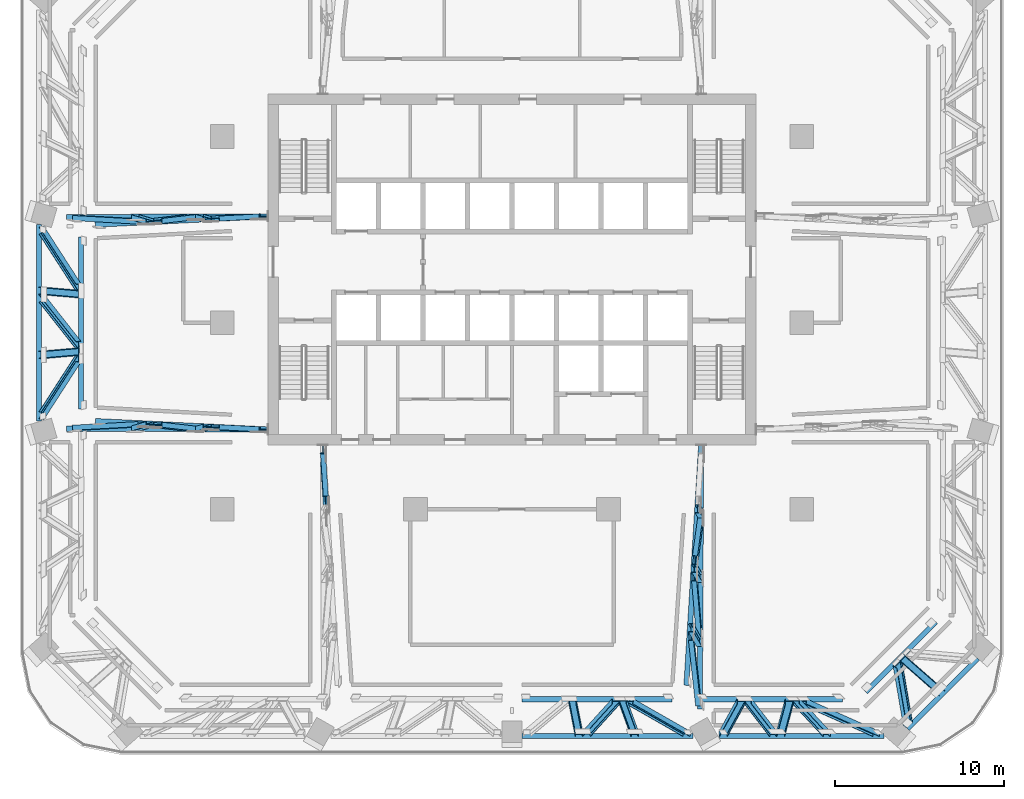
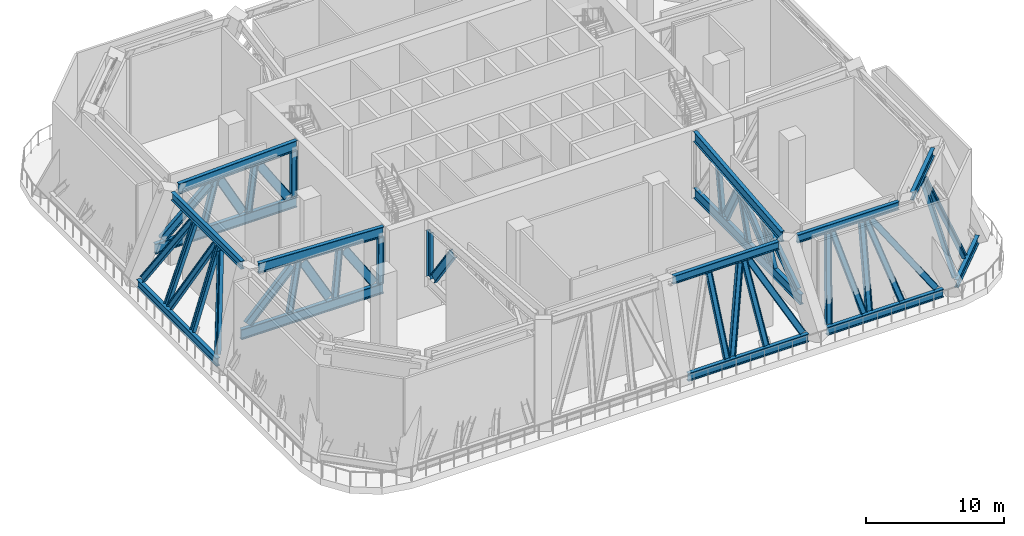
# One storey, part 2 of 24: 50 members.
"""IFC4 building model written with IfcOpenShell, lengths in metres."""

from ifc_helpers import new_model, si_unit, direction, frame, origin, origin_2d, place, context, subcontext, project, spatial, i_section, extrude, material, material_profile, profile_set, type_object, element, save


model = new_model("IFC4")

# Units and contexts
model_context = context("Model", 3, precision=1e-05, world=origin(), true_north=direction((0.0, 1.0)))
body_context = subcontext(model_context, "Body", "Model", "MODEL_VIEW")
ifc_project = project(units=[si_unit("LENGTHUNIT", "METRE"), si_unit("AREAUNIT", "SQUARE_METRE"), si_unit("VOLUMEUNIT", "CUBIC_METRE"), si_unit("PLANEANGLEUNIT", "RADIAN"), si_unit("MASSUNIT", "GRAM", prefix="KILO")], contexts=[model_context])

# Site, building, storey
site_placement = place(None, origin())
site = spatial("IfcSite", under=ifc_project, at=site_placement, CompositionType="ELEMENT")
building_placement = place(site_placement, origin())
building = spatial("IfcBuilding", under=site, at=building_placement, Name="Mopane Tessera Tower", CompositionType="ELEMENT")
storey_placement = place(building_placement, frame((0.0, 0.0, 148.60009765625)))
storey = spatial("IfcBuildingStorey", under=building, at=storey_placement, Name="L30", CompositionType="ELEMENT", Elevation=148.60009765625)

# Members
ifc_material_1 = material(Name="Structural steel S460", Category="steel")
ifc_material_profile_1 = material_profile(ifc_material_1, i_section(OverallWidth=0.303955078125, OverallDepth=0.716064453125, WebThickness=0.02099609375, FlangeThickness=0.0400390625, FilletRadius=0.027099609375, at=origin_2d()))
ifc_profile_set_1 = profile_set([ifc_material_profile_1], Name="Structural steel S460")
member_type_1 = type_object("IfcMemberType", Name="Belt truss chord HE 700 M", PredefinedType="CHORD", material=ifc_profile_set_1)
member_1_placement = place(storey_placement, frame((0.599609375, -24.3935546875, 0.35791015625), z_axis=(1.0, 0.0, 0.0), x_axis=(0.0, 1.0, 0.0)))
element("IfcMember", 1, at=member_1_placement, inside=storey, type_object=member_type_1, Name="Belt truss bottom chord L30 S2-S3", PredefinedType="CHORD", context=body_context, shape_type="SweptSolid", body=[
    extrude(i_section(OverallWidth=0.303955078125, OverallDepth=0.716064453125, WebThickness=0.02099609375, FlangeThickness=0.0400390625, FilletRadius=0.027099609375, at=origin_2d()), origin(), (0.0, 0.0, 1.0), 10.087890625),
])
member_2_placement = place(storey_placement, frame((0.599609375, -22.2255859375, 7.641845703125), z_axis=(1.0, 0.0, 0.0), x_axis=(0.0, 1.0, 0.0)))
element("IfcMember", 2, at=member_2_placement, inside=storey, type_object=member_type_1, Name="Belt truss top chord L30 S2-S3", PredefinedType="CHORD", context=body_context, shape_type="SweptSolid", body=[
    extrude(i_section(OverallWidth=0.303955078125, OverallDepth=0.716064453125, WebThickness=0.02099609375, FlangeThickness=0.0400390625, FilletRadius=0.027099609375, at=origin_2d()), origin(), (0.0, 0.0, 1.0), 8.852294921875),
])
member_3_placement = place(storey_placement, frame((12.24072265625, -24.3935546875, 0.35791015625), z_axis=(1.0, 0.0, 0.0), x_axis=(0.0, 1.0, 0.0)))
element("IfcMember", 3, at=member_3_placement, inside=storey, type_object=member_type_1, Name="Belt truss bottom chord L30 S3-S4", PredefinedType="CHORD", context=body_context, shape_type="SweptSolid", body=[
    extrude(i_section(OverallWidth=0.303955078125, OverallDepth=0.716064453125, WebThickness=0.02099609375, FlangeThickness=0.0400390625, FilletRadius=0.027099609375, at=origin_2d()), origin(), (0.0, 0.0, 1.0), 9.7314453125),
])
member_4_placement = place(storey_placement, frame((11.00537109375, -22.2255859375, 7.641845703125), z_axis=(1.0, 0.0, 0.0), x_axis=(0.0, 1.0, 0.0)))
element("IfcMember", 4, at=member_4_placement, inside=storey, type_object=member_type_1, Name="Belt truss top chord L30 S3-S4", PredefinedType="CHORD", context=body_context, shape_type="SweptSolid", body=[
    extrude(i_section(OverallWidth=0.303955078125, OverallDepth=0.716064453125, WebThickness=0.02099609375, FlangeThickness=0.0400390625, FilletRadius=0.027099609375, at=origin_2d()), origin(), (0.0, 0.0, 1.0), 8.495361328125),
])
member_5_placement = place(storey_placement, frame((23.3603515625, -23.961669921875, 0.35791015625), z_axis=(0.707106781187, 0.707106781187, 0.0), x_axis=(-0.707106781187, 0.707106781187, 0.0)))
element("IfcMember", 5, at=member_5_placement, inside=storey, type_object=member_type_1, Name="Belt truss bottom chord L30 S4-E0", PredefinedType="CHORD", context=body_context, shape_type="SweptSolid", body=[
    extrude(i_section(OverallWidth=0.303955078125, OverallDepth=0.716064453125, WebThickness=0.02099609375, FlangeThickness=0.0400390625, FilletRadius=0.027099609375, at=origin_2d()), origin(), (0.0, 0.0, 1.0), 5.849853515625),
])
member_6_placement = place(storey_placement, frame((20.888916015625, -21.793701171875, 7.641845703125), z_axis=(0.707127648719, 0.707085913038, 0.0), x_axis=(-0.707085913038, 0.707127648719, 0.0)))
element("IfcMember", 6, at=member_6_placement, inside=storey, type_object=member_type_1, Name="Belt truss top chord L30 S4-E0", PredefinedType="CHORD", context=body_context, shape_type="SweptSolid", body=[
    extrude(i_section(OverallWidth=0.303955078125, OverallDepth=0.716064453125, WebThickness=0.02099609375, FlangeThickness=0.0400390625, FilletRadius=0.027099609375, at=origin_2d()), origin(), (0.0, 0.0, 1.0), 5.849609375),
])
member_7_placement = place(storey_placement, frame((-27.928466796875, 5.79541015625, 0.35791015625), z_axis=(0.0, -1.0, 0.0), x_axis=(1.0, 0.0, 0.0)))
element("IfcMember", 7, at=member_7_placement, inside=storey, type_object=member_type_1, Name="Belt truss bottom chord L30 W1-W2", PredefinedType="CHORD", context=body_context, shape_type="SweptSolid", body=[
    extrude(i_section(OverallWidth=0.303955078125, OverallDepth=0.716064453125, WebThickness=0.02099609375, FlangeThickness=0.0400390625, FilletRadius=0.027099609375, at=origin_2d()), origin(), (0.0, 0.0, 1.0), 11.5908203125),
])
member_8_placement = place(storey_placement, frame((-25.45703125, 5.072998046875, 7.641845703125), z_axis=(0.0, -1.0, 0.0), x_axis=(1.0, 0.0, 0.0)))
element("IfcMember", 8, at=member_8_placement, inside=storey, type_object=member_type_1, Name="Belt truss top chord L30 W1-W2", PredefinedType="CHORD", context=body_context, shape_type="SweptSolid", body=[
    extrude(i_section(OverallWidth=0.303955078125, OverallDepth=0.716064453125, WebThickness=0.02099609375, FlangeThickness=0.0400390625, FilletRadius=0.027099609375, at=origin_2d()), origin(), (0.0, 0.0, 1.0), 10.14599609375),
])
ifc_material_2 = material(Name="Structural steel S460", Category="steel")
ifc_material_profile_2 = material_profile(ifc_material_2, i_section(OverallWidth=0.300048828125, OverallDepth=0.5, WebThickness=0.014404296875, FlangeThickness=0.028076171875, FilletRadius=0.027099609375, at=origin_2d()))
ifc_profile_set_2 = profile_set([ifc_material_profile_2], Name="Structural steel S460")
member_type_2 = type_object("IfcMemberType", Name="Belt truss diagonal HE 500 B", PredefinedType="BRACE", material=ifc_profile_set_2)
member_9_placement = place(storey_placement, frame((4.397705078125, -24.272216796875, 0.765380859375), z_axis=(0.2506543194, 0.276146963229, 0.927855197143), x_axis=(-0.072015912907, 0.961115422151, -0.266591173133)))
element("IfcMember", 9, at=member_9_placement, inside=storey, type_object=member_type_2, Name="Belt truss diagonal 1 L30 S2-S3", PredefinedType="BRACE", context=body_context, shape_type="SweptSolid", body=[
    extrude(i_section(OverallWidth=0.300048828125, OverallDepth=0.5, WebThickness=0.014404296875, FlangeThickness=0.028076171875, FilletRadius=0.027099609375, at=origin_2d()), origin(), (0.0, 0.0, 1.0), 6.971923828125),
])
member_10_placement = place(storey_placement, frame((6.942138671875, -22.349365234375, 7.226318359375), z_axis=(0.447801640419, -0.255043639384, -0.856986833532), x_axis=(0.118069036868, 0.966929542152, -0.226068491937)))
element("IfcMember", 10, at=member_10_placement, inside=storey, type_object=member_type_2, Name="Belt truss diagonal 2 L30 S2-S3", PredefinedType="BRACE", context=body_context, shape_type="SweptSolid", body=[
    extrude(i_section(OverallWidth=0.300048828125, OverallDepth=0.5, WebThickness=0.014404296875, FlangeThickness=0.028076171875, FilletRadius=0.027099609375, at=origin_2d()), origin(), (0.0, 0.0, 1.0), 7.52978515625),
])
member_11_placement = place(storey_placement, frame((12.476806640625, -24.271240234375, 0.768798828125), z_axis=(0.154753056421, 0.281817979308, 0.946905548652), x_axis=(-0.045419249479, 0.959467886571, -0.278133900157)))
element("IfcMember", 11, at=member_11_placement, inside=storey, type_object=member_type_2, Name="Belt truss diagonal 0 L30 S3-S4", PredefinedType="BRACE", context=body_context, shape_type="SweptSolid", body=[
    extrude(i_section(OverallWidth=0.300048828125, OverallDepth=0.5, WebThickness=0.014404296875, FlangeThickness=0.028076171875, FilletRadius=0.027099609375, at=origin_2d()), origin(), (0.0, 0.0, 1.0), 6.82470703125),
])
member_12_placement = place(storey_placement, frame((15.861083984375, -24.273681640625, 0.7607421875), z_axis=(0.076276738224, 0.284435164539, 0.955656055482), x_axis=(-0.022662644211, 0.958695278084, -0.283530894855)))
element("IfcMember", 12, at=member_12_placement, inside=storey, type_object=member_type_2, Name="Belt truss diagonal 1 L30 S3-S4", PredefinedType="BRACE", context=body_context, shape_type="SweptSolid", body=[
    extrude(i_section(OverallWidth=0.300048828125, OverallDepth=0.5, WebThickness=0.014404296875, FlangeThickness=0.028076171875, FilletRadius=0.027099609375, at=origin_2d()), origin(), (0.0, 0.0, 1.0), 6.779052734375),
])
member_13_placement = place(storey_placement, frame((17.180908203125, -22.347900390625, 7.231201171875), z_axis=(0.539957771067, -0.240096366228, -0.806721352382), x_axis=(0.133562461913, 0.970749058537, -0.199517753889)))
element("IfcMember", 13, at=member_13_placement, inside=storey, type_object=member_type_2, Name="Belt truss diagonal 2 L30 S3-S4", PredefinedType="BRACE", context=body_context, shape_type="SweptSolid", body=[
    extrude(i_section(OverallWidth=0.300048828125, OverallDepth=0.5, WebThickness=0.014404296875, FlangeThickness=0.028076171875, FilletRadius=0.027099609375, at=origin_2d()), origin(), (0.0, 0.0, 1.0), 8.0107421875),
])
member_14_placement = place(storey_placement, frame((23.3818359375, -23.684326171875, 0.759765625), z_axis=(-0.081781629419, 0.475976340966, 0.875647353636), x_axis=(-0.734409592741, 0.565169586582, -0.375800330619)))
element("IfcMember", 14, at=member_14_placement, inside=storey, type_object=member_type_2, Name="Belt truss diagonal 0 L30 S4-E0", PredefinedType="BRACE", context=body_context, shape_type="SweptSolid", body=[
    extrude(i_section(OverallWidth=0.300048828125, OverallDepth=0.5, WebThickness=0.014404296875, FlangeThickness=0.028076171875, FilletRadius=0.027099609375, at=origin_2d()), origin(), (0.0, 0.0, 1.0), 7.400390625),
])
member_15_placement = place(storey_placement, frame((-27.781982421875, 5.46826171875, 0.790283203125), z_axis=(0.287590786418, -0.44608483448, 0.847525728231), x_axis=(0.957753381236, 0.133964759897, -0.254483602296)))
element("IfcMember", 15, at=member_15_placement, inside=storey, type_object=member_type_2, Name="Belt truss diagonal 0 L30 W1-W2", PredefinedType="BRACE", context=body_context, shape_type="SweptSolid", body=[
    extrude(i_section(OverallWidth=0.300048828125, OverallDepth=0.5, WebThickness=0.014404296875, FlangeThickness=0.028076171875, FilletRadius=0.027099609375, at=origin_2d()), origin(), (0.0, 0.0, 1.0), 7.573974609375),
])
member_16_placement = place(storey_placement, frame((-27.784423828125, 1.458251953125, 0.78271484375), z_axis=(0.29749931485, -0.377713008443, 0.876827828548), x_axis=(0.954722031565, 0.117708529243, -0.27322251845)))
element("IfcMember", 16, at=member_16_placement, inside=storey, type_object=member_type_2, Name="Belt truss diagonal 1 L30 W1-W2", PredefinedType="BRACE", context=body_context, shape_type="SweptSolid", body=[
    extrude(i_section(OverallWidth=0.300048828125, OverallDepth=0.5, WebThickness=0.014404296875, FlangeThickness=0.028076171875, FilletRadius=0.027099609375, at=origin_2d()), origin(), (0.0, 0.0, 1.0), 7.338134765625),
])
member_17_placement = place(storey_placement, frame((-25.603759765625, -2.089599609375, 7.20947265625), z_axis=(-0.287590786418, -0.44608483448, -0.847525728231), x_axis=(0.957753381236, -0.133964759897, -0.254483602296)))
element("IfcMember", 17, at=member_17_placement, inside=storey, type_object=member_type_2, Name="Belt truss diagonal 2 L30 W1-W2", PredefinedType="BRACE", context=body_context, shape_type="SweptSolid", body=[
    extrude(i_section(OverallWidth=0.300048828125, OverallDepth=0.5, WebThickness=0.014404296875, FlangeThickness=0.028076171875, FilletRadius=0.027099609375, at=origin_2d()), origin(), (0.0, 0.0, 1.0), 7.573974609375),
])
ifc_material_3 = material(Name="Structural steel S460", Category="steel")
ifc_material_profile_3 = material_profile(ifc_material_3, i_section(OverallWidth=0.300048828125, OverallDepth=0.449951171875, WebThickness=0.013916015625, FlangeThickness=0.02587890625, FilletRadius=0.027099609375, at=origin_2d()))
ifc_profile_set_3 = profile_set([ifc_material_profile_3], Name="Structural steel S460")
member_type_3 = type_object("IfcMemberType", Name="Belt truss post HE 450 B", PredefinedType="POST", material=ifc_profile_set_3)
member_18_placement = place(storey_placement, frame((3.9580078125, -24.286865234375, 0.7158203125), z_axis=(-0.056306738982, 0.284806101722, 0.956930005574), x_axis=(0.01684538224, 0.958585140719, -0.284307511491)))
element("IfcMember", 18, at=member_18_placement, inside=storey, type_object=member_type_3, Name="Belt truss post 1 L30 S2-S3", PredefinedType="POST", context=body_context, shape_type="SweptSolid", body=[
    extrude(i_section(OverallWidth=0.300048828125, OverallDepth=0.449951171875, WebThickness=0.013916015625, FlangeThickness=0.02587890625, FilletRadius=0.027099609375, at=origin_2d()), origin(), (0.0, 0.0, 1.0), 6.86376953125),
])
member_19_placement = place(storey_placement, frame((7.247802734375, -24.286865234375, 0.7158203125), z_axis=(-0.102768832793, 0.283748291095, 0.953375830566), x_axis=(0.030455696145, 0.958898798305, -0.282109101558)))
element("IfcMember", 19, at=member_19_placement, inside=storey, type_object=member_type_3, Name="Belt truss post 2 L30 S2-S3", PredefinedType="POST", context=body_context, shape_type="SweptSolid", body=[
    extrude(i_section(OverallWidth=0.300048828125, OverallDepth=0.449951171875, WebThickness=0.013916015625, FlangeThickness=0.02587890625, FilletRadius=0.027099609375, at=origin_2d()), origin(), (0.0, 0.0, 1.0), 6.889404296875),
])
member_20_placement = place(storey_placement, frame((15.426513671875, -24.286865234375, 0.7158203125), z_axis=(-0.214820709014, 0.278598868978, 0.936074106673), x_axis=(0.062297860569, 0.960407554053, -0.271544299675)))
element("IfcMember", 20, at=member_20_placement, inside=storey, type_object=member_type_3, Name="Belt truss post 1 L30 S3-S4", PredefinedType="POST", context=body_context, shape_type="SweptSolid", body=[
    extrude(i_section(OverallWidth=0.300048828125, OverallDepth=0.449951171875, WebThickness=0.013916015625, FlangeThickness=0.02587890625, FilletRadius=0.027099609375, at=origin_2d()), origin(), (0.0, 0.0, 1.0), 7.0166015625),
])
member_21_placement = place(storey_placement, frame((18.58349609375, -24.286865234375, 0.7158203125), z_axis=(-0.256114656832, 0.275744259413, 0.926482803919), x_axis=(0.073510528883, 0.961231034564, -0.265765122494)))
element("IfcMember", 21, at=member_21_placement, inside=storey, type_object=member_type_3, Name="Belt truss post 2 L30 S3-S4", PredefinedType="POST", context=body_context, shape_type="SweptSolid", body=[
    extrude(i_section(OverallWidth=0.300048828125, OverallDepth=0.449951171875, WebThickness=0.013916015625, FlangeThickness=0.02587890625, FilletRadius=0.027099609375, at=origin_2d()), origin(), (0.0, 0.0, 1.0), 7.08935546875),
])
member_22_placement = place(storey_placement, frame((25.30712890625, -21.786865234375, 0.7158203125), z_axis=(-0.309254295345, 0.27127510329, 0.911466729588), x_axis=(-0.636223022636, 0.653344973559, -0.410317695198)))
element("IfcMember", 22, at=member_22_placement, inside=storey, type_object=member_type_3, Name="Belt truss post 1 L30 S4-E0", PredefinedType="POST", context=body_context, shape_type="SweptSolid", body=[
    extrude(i_section(OverallWidth=0.300048828125, OverallDepth=0.449951171875, WebThickness=0.013916015625, FlangeThickness=0.02587890625, FilletRadius=0.027099609375, at=origin_2d()), origin(), (0.0, 0.0, 1.0), 7.2060546875),
])
for number, where, z_axis, x_axis, name in (
    (23, (-27.80712890625, 1.893310546875, 0.7158203125), (0.321179643724, -0.027656354072, 0.94661436844), (0.94701828723, 0.009368614259, -0.321042976435), "Belt truss post 1 L30 W1-W2"),
    (24, (-27.80712890625, -1.893310546875, 0.7158203125), (0.321179643724, 0.027656354072, 0.94661436844), (0.94701828723, -0.009368614259, -0.321042976435), "Belt truss post 2 L30 W1-W2"),
):
    element("IfcMember", number, at=place(storey_placement, frame(where, z_axis=z_axis, x_axis=x_axis)), inside=storey, type_object=member_type_3, Name=name, PredefinedType="POST", context=body_context, shape_type="SweptSolid", body=[
        extrude(i_section(OverallWidth=0.300048828125, OverallDepth=0.449951171875, WebThickness=0.013916015625, FlangeThickness=0.02587890625, FilletRadius=0.027099609375, at=origin_2d()), origin(), (0.0, 0.0, 1.0), 6.9384765625),
    ])
ifc_material_4 = material(Name="Structural steel S460", Category="steel")
ifc_material_profile_4 = material_profile(ifc_material_4, i_section(OverallWidth=0.302001953125, OverallDepth=0.909912109375, WebThickness=0.02099609375, FlangeThickness=0.0400390625, FilletRadius=0.030029296875, at=origin_2d()))
ifc_profile_set_4 = profile_set([ifc_material_profile_4], Name="Structural steel S460")
member_type_4 = type_object("IfcMemberType", Name="Outrigger truss chord HE 900 M", PredefinedType="CHORD", material=ifc_profile_set_4)
member_23_placement = place(storey_placement, frame((-14.4150390625, 6.291748046875, 2.554931640625), z_axis=(-0.999993766228, -0.003530935453, 0.0), x_axis=(0.003530935453, -0.999993766228, 0.0)))
element("IfcMember", 25, at=member_23_placement, inside=storey, type_object=member_type_4, Name="Outrigger truss bottom chord L30 W1", PredefinedType="CHORD", context=body_context, shape_type="SweptSolid", body=[
    extrude(i_section(OverallWidth=0.302001953125, OverallDepth=0.909912109375, WebThickness=0.02099609375, FlangeThickness=0.0400390625, FilletRadius=0.030029296875, at=origin_2d()), origin(), (0.0, 0.0, 1.0), 11.892578125),
])
member_24_placement = place(storey_placement, frame((-14.4150390625, 6.291015625, 7.544921875), z_axis=(-0.998815332345, -0.048661400241, 0.0), x_axis=(0.048661400241, -0.998815332345, 0.0)))
element("IfcMember", 26, at=member_24_placement, inside=storey, type_object=member_type_4, Name="Outrigger truss top chord L30 W1", PredefinedType="CHORD", context=body_context, shape_type="SweptSolid", body=[
    extrude(i_section(OverallWidth=0.302001953125, OverallDepth=0.909912109375, WebThickness=0.02099609375, FlangeThickness=0.0400390625, FilletRadius=0.030029296875, at=origin_2d()), origin(), (0.0, 0.0, 1.0), 10.19970703125),
])
member_25_placement = place(storey_placement, frame((-14.4150390625, -6.291748046875, 2.554931640625), z_axis=(-0.999993766228, 0.003530935453, 0.0), x_axis=(-0.003530935453, -0.999993766228, 0.0)))
element("IfcMember", 27, at=member_25_placement, inside=storey, type_object=member_type_4, Name="Outrigger truss bottom chord L30 W2", PredefinedType="CHORD", context=body_context, shape_type="SweptSolid", body=[
    extrude(i_section(OverallWidth=0.302001953125, OverallDepth=0.909912109375, WebThickness=0.02099609375, FlangeThickness=0.0400390625, FilletRadius=0.030029296875, at=origin_2d()), origin(), (0.0, 0.0, 1.0), 11.892578125),
])
member_26_placement = place(storey_placement, frame((-14.4150390625, -6.291015625, 7.544921875), z_axis=(-0.998815332345, 0.048661400241, 0.0), x_axis=(-0.048661400241, -0.998815332345, 0.0)))
element("IfcMember", 28, at=member_26_placement, inside=storey, type_object=member_type_4, Name="Outrigger truss top chord L30 W2", PredefinedType="CHORD", context=body_context, shape_type="SweptSolid", body=[
    extrude(i_section(OverallWidth=0.302001953125, OverallDepth=0.909912109375, WebThickness=0.02099609375, FlangeThickness=0.0400390625, FilletRadius=0.030029296875, at=origin_2d()), origin(), (0.0, 0.0, 1.0), 10.19970703125),
])
member_27_placement = place(storey_placement, frame((11.168701171875, -7.215087890625, 2.554931640625), z_axis=(-0.004667942062, -0.999989105099, 0.0), x_axis=(0.999989105099, -0.004667942062, 0.0)))
element("IfcMember", 29, at=member_27_placement, inside=storey, type_object=member_type_4, Name="Outrigger truss bottom chord L30 S3", PredefinedType="CHORD", context=body_context, shape_type="SweptSolid", body=[
    extrude(i_section(OverallWidth=0.302001953125, OverallDepth=0.909912109375, WebThickness=0.02099609375, FlangeThickness=0.0400390625, FilletRadius=0.030029296875, at=origin_2d()), origin(), (0.0, 0.0, 1.0), 15.5859375),
])
member_28_placement = place(storey_placement, frame((11.167724609375, -7.215087890625, 7.544921875), z_axis=(-0.061226374757, -0.998123905652, 0.0), x_axis=(0.998123905652, -0.061226374757, 0.0)))
element("IfcMember", 30, at=member_28_placement, inside=storey, type_object=member_type_4, Name="Outrigger truss top chord L30 S3", PredefinedType="CHORD", context=body_context, shape_type="SweptSolid", body=[
    extrude(i_section(OverallWidth=0.302001953125, OverallDepth=0.909912109375, WebThickness=0.02099609375, FlangeThickness=0.0400390625, FilletRadius=0.030029296875, at=origin_2d()), origin(), (0.0, 0.0, 1.0), 14.21142578125),
])
ifc_material_5 = material(Name="Structural steel S460", Category="steel")
ifc_material_profile_5 = material_profile(ifc_material_5, i_section(OverallWidth=0.300048828125, OverallDepth=0.699951171875, WebThickness=0.01708984375, FlangeThickness=0.031982421875, FilletRadius=0.027099609375, at=origin_2d()))
ifc_profile_set_5 = profile_set([ifc_material_profile_5], Name="Structural steel S460")
member_type_5 = type_object("IfcMemberType", Name="Outrigger truss diagonal HE 700 B", PredefinedType="BRACE", material=ifc_profile_set_5)
member_29_placement = place(storey_placement, frame((-15.158935546875, 6.28515625, 3.18896484375), z_axis=(-0.544753373514, -0.028752246881, 0.838103257567), x_axis=(0.018165905046, -0.999582137301, -0.022484454228)))
element("IfcMember", 31, at=member_29_placement, inside=storey, type_object=member_type_5, Name="Outrigger truss diagonal 0 L30 W1", PredefinedType="BRACE", context=body_context, shape_type="SweptSolid", body=[
    extrude(i_section(OverallWidth=0.300048828125, OverallDepth=0.699951171875, WebThickness=0.01708984375, FlangeThickness=0.031982421875, FilletRadius=0.027099609375, at=origin_2d()), origin(), (0.0, 0.0, 1.0), 4.44091796875),
])
member_30_placement = place(storey_placement, frame((-18.925537109375, 6.252685546875, 3.18896484375), z_axis=(-0.480025508744, -0.056047959868, 0.87546224199), x_axis=(0.029661193457, -0.998423293192, -0.047656491836)))
element("IfcMember", 32, at=member_30_placement, inside=storey, type_object=member_type_5, Name="Outrigger truss diagonal 1 L30 W1", PredefinedType="BRACE", context=body_context, shape_type="SweptSolid", body=[
    extrude(i_section(OverallWidth=0.300048828125, OverallDepth=0.699951171875, WebThickness=0.01708984375, FlangeThickness=0.031982421875, FilletRadius=0.027099609375, at=origin_2d()), origin(), (0.0, 0.0, 1.0), 4.25146484375),
])
member_31_placement = place(storey_placement, frame((-21.851318359375, 5.978271484375, 6.896240234375), z_axis=(-0.722745570787, 0.040142394742, -0.689947409628), x_axis=(-0.027357630892, -0.999191017394, -0.029476614311)))
element("IfcMember", 33, at=member_31_placement, inside=storey, type_object=member_type_5, Name="Outrigger truss diagonal 2 L30 W1", PredefinedType="BRACE", context=body_context, shape_type="SweptSolid", body=[
    extrude(i_section(OverallWidth=0.300048828125, OverallDepth=0.699951171875, WebThickness=0.01708984375, FlangeThickness=0.031982421875, FilletRadius=0.027099609375, at=origin_2d()), origin(), (0.0, 0.0, 1.0), 5.35205078125),
])
member_32_placement = place(storey_placement, frame((-15.158935546875, -6.28515625, 3.18896484375), z_axis=(-0.544753373514, 0.028752246881, 0.838103257567), x_axis=(-0.018165905046, -0.999582137301, 0.022484454228)))
element("IfcMember", 34, at=member_32_placement, inside=storey, type_object=member_type_5, Name="Outrigger truss diagonal 0 L30 W2", PredefinedType="BRACE", context=body_context, shape_type="SweptSolid", body=[
    extrude(i_section(OverallWidth=0.300048828125, OverallDepth=0.699951171875, WebThickness=0.01708984375, FlangeThickness=0.031982421875, FilletRadius=0.027099609375, at=origin_2d()), origin(), (0.0, 0.0, 1.0), 4.44091796875),
])
member_33_placement = place(storey_placement, frame((-18.925537109375, -6.252685546875, 3.18896484375), z_axis=(-0.480025508744, 0.056047959868, 0.87546224199), x_axis=(-0.029661193457, -0.998423293192, 0.047656491836)))
element("IfcMember", 35, at=member_33_placement, inside=storey, type_object=member_type_5, Name="Outrigger truss diagonal 1 L30 W2", PredefinedType="BRACE", context=body_context, shape_type="SweptSolid", body=[
    extrude(i_section(OverallWidth=0.300048828125, OverallDepth=0.699951171875, WebThickness=0.01708984375, FlangeThickness=0.031982421875, FilletRadius=0.027099609375, at=origin_2d()), origin(), (0.0, 0.0, 1.0), 4.25146484375),
])
member_34_placement = place(storey_placement, frame((-21.851318359375, -5.978271484375, 6.896240234375), z_axis=(-0.722745570787, -0.040142394742, -0.689947409628), x_axis=(0.027357630892, -0.999191017394, 0.029476614311)))
element("IfcMember", 36, at=member_34_placement, inside=storey, type_object=member_type_5, Name="Outrigger truss diagonal 2 L30 W2", PredefinedType="BRACE", context=body_context, shape_type="SweptSolid", body=[
    extrude(i_section(OverallWidth=0.300048828125, OverallDepth=0.699951171875, WebThickness=0.01708984375, FlangeThickness=0.031982421875, FilletRadius=0.027099609375, at=origin_2d()), origin(), (0.0, 0.0, 1.0), 5.35205078125),
])
member_35_placement = place(storey_placement, frame((-11.16015625, -7.96240234375, 3.189208984375), z_axis=(0.037416267594, -0.565082966214, 0.824185212324), x_axis=(0.999292168516, 0.024374117743, -0.028654220041)))
element("IfcMember", 37, at=member_35_placement, inside=storey, type_object=member_type_5, Name="Outrigger truss diagonal 0 L30 S1", PredefinedType="BRACE", context=body_context, shape_type="SweptSolid", body=[
    extrude(i_section(OverallWidth=0.300048828125, OverallDepth=0.699951171875, WebThickness=0.01708984375, FlangeThickness=0.031982421875, FilletRadius=0.027099609375, at=origin_2d()), origin(), (0.0, 0.0, 1.0), 4.515380859375),
])
member_36_placement = place(storey_placement, frame((11.1171875, -11.752197265625, 3.189208984375), z_axis=(-0.071849366406, -0.523497825465, 0.84899216444), x_axis=(0.997407809063, -0.041051619149, 0.059096759517)))
element("IfcMember", 38, at=member_36_placement, inside=storey, type_object=member_type_5, Name="Outrigger truss diagonal 1 L30 S3", PredefinedType="BRACE", context=body_context, shape_type="SweptSolid", body=[
    extrude(i_section(OverallWidth=0.300048828125, OverallDepth=0.699951171875, WebThickness=0.01708984375, FlangeThickness=0.031982421875, FilletRadius=0.027099609375, at=origin_2d()), origin(), (0.0, 0.0, 1.0), 4.38330078125),
])
member_37_placement = place(storey_placement, frame((10.75244140625, -14.97705078125, 6.91064453125), z_axis=(0.057869689112, -0.668711004188, -0.741266950538), x_axis=(0.998318153453, 0.036190288233, 0.045289375393)))
element("IfcMember", 39, at=member_37_placement, inside=storey, type_object=member_type_5, Name="Outrigger truss diagonal 2 L30 S3", PredefinedType="BRACE", context=body_context, shape_type="SweptSolid", body=[
    extrude(i_section(OverallWidth=0.300048828125, OverallDepth=0.699951171875, WebThickness=0.01708984375, FlangeThickness=0.031982421875, FilletRadius=0.027099609375, at=origin_2d()), origin(), (0.0, 0.0, 1.0), 5.020263671875),
])
member_38_placement = place(storey_placement, frame((10.565673828125, -18.501953125, 6.89599609375), z_axis=(0.079908937861, -0.72186225379, -0.687407774326), x_axis=(0.99679700815, 0.055649170664, 0.057436002183)))
element("IfcMember", 40, at=member_38_placement, inside=storey, type_object=member_type_5, Name="Outrigger truss diagonal 3 L30 S3", PredefinedType="BRACE", context=body_context, shape_type="SweptSolid", body=[
    extrude(i_section(OverallWidth=0.300048828125, OverallDepth=0.699951171875, WebThickness=0.01708984375, FlangeThickness=0.031982421875, FilletRadius=0.027099609375, at=origin_2d()), origin(), (0.0, 0.0, 1.0), 5.37109375),
])
ifc_material_6 = material(Name="Structural steel S460", Category="steel")
ifc_material_profile_6 = material_profile(ifc_material_6, i_section(OverallWidth=0.300048828125, OverallDepth=0.5, WebThickness=0.014404296875, FlangeThickness=0.028076171875, FilletRadius=0.027099609375, at=origin_2d()))
ifc_profile_set_6 = profile_set([ifc_material_profile_6], Name="Structural steel S460")
member_type_6 = type_object("IfcMemberType", Name="Outrigger truss post HE 500 B", PredefinedType="POST", material=ifc_profile_set_6)
member_39_placement = place(storey_placement, frame((-14.6640625, 6.289794921875, 3.010009765625), z_axis=(0.007061025644, -0.002094372013, 0.999972877394), x_axis=(-0.000395915655, -0.999997734168, -0.002091628427)))
element("IfcMember", 41, at=member_39_placement, inside=storey, type_object=member_type_6, Name="Outrigger truss post 0 L30 W1", PredefinedType="POST", context=body_context, shape_type="SweptSolid", body=[
    extrude(i_section(OverallWidth=0.300048828125, OverallDepth=0.5, WebThickness=0.014404296875, FlangeThickness=0.028076171875, FilletRadius=0.027099609375, at=origin_2d()), origin(), (0.0, 0.0, 1.0), 4.079833984375),
])
member_40_placement = place(storey_placement, frame((-18.44873046875, 6.2626953125, 3.010009765625), z_axis=(0.108098564915, -0.031573343218, 0.993638678928), x_axis=(0.000331570506, -0.999494340865, -0.03179548143)))
element("IfcMember", 42, at=member_40_placement, inside=storey, type_object=member_type_6, Name="Outrigger truss post 1 L30 W1", PredefinedType="POST", context=body_context, shape_type="SweptSolid", body=[
    extrude(i_section(OverallWidth=0.300048828125, OverallDepth=0.5, WebThickness=0.014404296875, FlangeThickness=0.028076171875, FilletRadius=0.027099609375, at=origin_2d()), origin(), (0.0, 0.0, 1.0), 4.10595703125),
])
member_41_placement = place(storey_placement, frame((-22.233642578125, 6.235595703125, 3.010009765625), z_axis=(0.205632344037, -0.060088132368, 0.97678285992), x_axis=(-0.008858025403, -0.998186616401, -0.059540022039)))
element("IfcMember", 43, at=member_41_placement, inside=storey, type_object=member_type_6, Name="Outrigger truss post 2 L30 W1", PredefinedType="POST", context=body_context, shape_type="SweptSolid", body=[
    extrude(i_section(OverallWidth=0.300048828125, OverallDepth=0.5, WebThickness=0.014404296875, FlangeThickness=0.028076171875, FilletRadius=0.027099609375, at=origin_2d()), origin(), (0.0, 0.0, 1.0), 4.1767578125),
])
member_42_placement = place(storey_placement, frame((-14.6640625, -6.289794921875, 3.010009765625), z_axis=(0.007061025644, 0.002094372013, 0.999972877394), x_axis=(0.000395915655, -0.999997734168, 0.002091628427)))
element("IfcMember", 44, at=member_42_placement, inside=storey, type_object=member_type_6, Name="Outrigger truss post 0 L30 W2", PredefinedType="POST", context=body_context, shape_type="SweptSolid", body=[
    extrude(i_section(OverallWidth=0.300048828125, OverallDepth=0.5, WebThickness=0.014404296875, FlangeThickness=0.028076171875, FilletRadius=0.027099609375, at=origin_2d()), origin(), (0.0, 0.0, 1.0), 4.079833984375),
])
member_43_placement = place(storey_placement, frame((-18.44873046875, -6.2626953125, 3.010009765625), z_axis=(0.108098564915, 0.031573343218, 0.993638678928), x_axis=(-0.000331570506, -0.999494340865, 0.03179548143)))
element("IfcMember", 45, at=member_43_placement, inside=storey, type_object=member_type_6, Name="Outrigger truss post 1 L30 W2", PredefinedType="POST", context=body_context, shape_type="SweptSolid", body=[
    extrude(i_section(OverallWidth=0.300048828125, OverallDepth=0.5, WebThickness=0.014404296875, FlangeThickness=0.028076171875, FilletRadius=0.027099609375, at=origin_2d()), origin(), (0.0, 0.0, 1.0), 4.10595703125),
])
member_44_placement = place(storey_placement, frame((-22.233642578125, -6.235595703125, 3.010009765625), z_axis=(0.205632344037, 0.060088132368, 0.97678285992), x_axis=(0.008858025403, -0.998186616401, 0.059540022039)))
element("IfcMember", 46, at=member_44_placement, inside=storey, type_object=member_type_6, Name="Outrigger truss post 2 L30 W2", PredefinedType="POST", context=body_context, shape_type="SweptSolid", body=[
    extrude(i_section(OverallWidth=0.300048828125, OverallDepth=0.5, WebThickness=0.014404296875, FlangeThickness=0.028076171875, FilletRadius=0.027099609375, at=origin_2d()), origin(), (0.0, 0.0, 1.0), 4.1767578125),
])
member_45_placement = place(storey_placement, frame((-11.166259765625, -7.464599609375, 3.010009765625), z_axis=(0.002752635113, 0.004847031394, 0.999984464523), x_axis=(0.999977037585, 0.006179128741, -0.002782565565)))
element("IfcMember", 47, at=member_45_placement, inside=storey, type_object=member_type_6, Name="Outrigger truss post 0 L30 S1", PredefinedType="POST", context=body_context, shape_type="SweptSolid", body=[
    extrude(i_section(OverallWidth=0.300048828125, OverallDepth=0.5, WebThickness=0.014404296875, FlangeThickness=0.028076171875, FilletRadius=0.027099609375, at=origin_2d()), origin(), (0.0, 0.0, 1.0), 4.079833984375),
])
member_46_placement = place(storey_placement, frame((11.13037109375, -11.2666015625, 3.010009765625), z_axis=(-0.041857658605, 0.073519220883, 0.996415004191), x_axis=(0.999110626138, -0.001999186459, 0.042118404431)))
element("IfcMember", 48, at=member_46_placement, inside=storey, type_object=member_type_6, Name="Outrigger truss post 1 L30 S3", PredefinedType="POST", context=body_context, shape_type="SweptSolid", body=[
    extrude(i_section(OverallWidth=0.300048828125, OverallDepth=0.5, WebThickness=0.014404296875, FlangeThickness=0.028076171875, FilletRadius=0.027099609375, at=origin_2d()), origin(), (0.0, 0.0, 1.0), 4.094482421875),
])
member_47_placement = place(storey_placement, frame((11.0947265625, -15.06884765625, 3.010009765625), z_axis=(-0.080306231477, 0.140890197282, 0.986762819271), x_axis=(0.996759767323, 0.006813154433, 0.080147034713)))
element("IfcMember", 49, at=member_47_placement, inside=storey, type_object=member_type_6, Name="Outrigger truss post 2 L30 S3", PredefinedType="POST", context=body_context, shape_type="SweptSolid", body=[
    extrude(i_section(OverallWidth=0.300048828125, OverallDepth=0.5, WebThickness=0.014404296875, FlangeThickness=0.028076171875, FilletRadius=0.027099609375, at=origin_2d()), origin(), (0.0, 0.0, 1.0), 4.134521484375),
])
member_48_placement = place(storey_placement, frame((11.058837890625, -18.870849609375, 3.010009765625), z_axis=(-0.117266796942, 0.205696543174, 0.971564424246), x_axis=(0.993090542783, 0.019919420367, 0.11564770005)))
element("IfcMember", 50, at=member_48_placement, inside=storey, type_object=member_type_6, Name="Outrigger truss post 3 L30 S3", PredefinedType="POST", context=body_context, shape_type="SweptSolid", body=[
    extrude(i_section(OverallWidth=0.300048828125, OverallDepth=0.5, WebThickness=0.014404296875, FlangeThickness=0.028076171875, FilletRadius=0.027099609375, at=origin_2d()), origin(), (0.0, 0.0, 1.0), 4.19921875),
])

save(model, "model.ifc")
